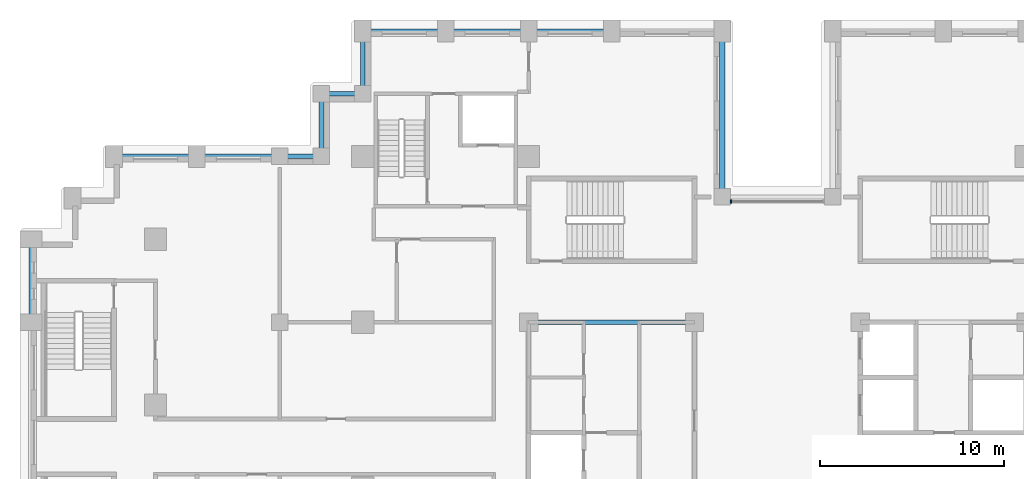
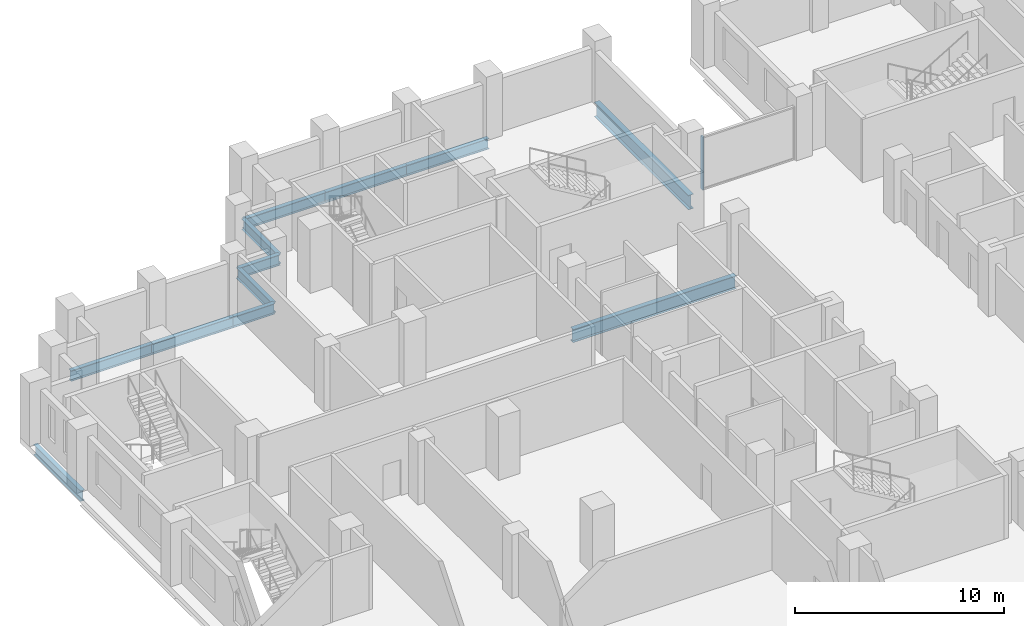
# One storey, part 3 of 15: 12 beams, 1 member, 1 element without a shape of its own.
"""IFC4 building model written with IfcOpenShell, lengths in metres."""

import ifcopenshell
import ifcopenshell.guid

model = None  # the IFC model being written
_history = None  # IfcOwnerHistory: only IFC2X3 demands one
_inside = {}  # id of a spatial element -> (the spatial element, [elements in it])
_under = {}  # id of a project, library or spatial element -> (it, [spatial elements below it])
_declared = {}  # id of a project -> (the project, [libraries it declares])
_typed = {}  # id of a type object -> (the type object, [elements of that type])
_made_of = {}  # id of a material, layer set ... -> (it, [elements and type objects made of it])


def new_model(schema):
    """Start an empty IFC model of exactly this schema.

    Asked for "IFC4X3", IfcOpenShell would pick the latest addendum, in which some entities
    have other attributes; the version numbers below select the first issue.
    IFC2X3 requires an IfcOwnerHistory on every rooted entity: one is made here for all.
    """
    global model, _history
    if schema == "IFC4X3":
        model = ifcopenshell.file(schema_version=(4, 3, 0, 0))
    else:
        model = ifcopenshell.file(schema=schema)
    _inside.clear()
    _under.clear()
    _declared.clear()
    _typed.clear()
    _made_of.clear()
    _history = None
    if model.schema == "IFC2X3":
        org = make("IfcOrganization", Name="unknown")
        user = make(
            "IfcPersonAndOrganization",
            ThePerson=make("IfcPerson", FamilyName="unknown"),
            TheOrganization=org,
        )
        app = make(
            "IfcApplication",
            ApplicationDeveloper=org,
            Version="unknown",
            ApplicationFullName="unknown",
            ApplicationIdentifier="unknown",
        )
        _history = make(
            "IfcOwnerHistory",
            OwningUser=user,
            OwningApplication=app,
            ChangeAction="ADDED",
            CreationDate=0,
        )
    return model


def make(cls, **values):
    """One entity of the class cls with the attributes given. An attribute that is None is left unset."""
    return model.create_entity(
        cls, **{name: value for name, value in values.items() if value is not None}
    )


def rooted(cls, **values):
    """An entity with a GlobalId (a new one), such as an element, a storey or a relation."""
    return make(cls, GlobalId=ifcopenshell.guid.new(), OwnerHistory=_history, **values)


def si_unit(unit_type, name, prefix=None):
    """IfcSIUnit, for example si_unit("LENGTHUNIT", "METRE", prefix="MILLI")."""
    return make("IfcSIUnit", UnitType=unit_type, Prefix=prefix, Name=name)


def assignment(units):
    """IfcUnitAssignment: the units of a project."""
    return None if units is None else make("IfcUnitAssignment", Units=units)


def point(xyz):
    """IfcCartesianPoint."""
    return None if xyz is None else make("IfcCartesianPoint", Coordinates=xyz)


def direction(xyz):
    """IfcDirection."""
    return None if xyz is None else make("IfcDirection", DirectionRatios=xyz)


def frame(location, z_axis=None, x_axis=None):
    """IfcAxis2Placement3D, a coordinate frame: its origin and axes. An axis left out is left unset."""
    return make(
        "IfcAxis2Placement3D",
        Location=point(location),
        Axis=direction(z_axis),
        RefDirection=direction(x_axis),
    )


def frame_2d(location, x_axis=None):
    """IfcAxis2Placement2D, a coordinate frame in the plane: its origin and x axis."""
    return make(
        "IfcAxis2Placement2D", Location=point(location), RefDirection=direction(x_axis)
    )


def origin():
    """The frame at (0, 0, 0) with its axes left unset."""
    return frame((0.0, 0.0, 0.0))


def origin_2d():
    """The frame at (0, 0) in the plane with its x axis left unset."""
    return frame_2d((0.0, 0.0))


def place(relative_to, where):
    """IfcLocalPlacement: puts the frame where relative to a parent placement (None: the world)."""
    return make(
        "IfcLocalPlacement", PlacementRelTo=relative_to, RelativePlacement=where
    )


def context(
    kind, dimensions, precision=None, world=None, true_north=None, identifier=None
):
    """IfcGeometricRepresentationContext, for example the 3D "Model" context."""
    return make(
        "IfcGeometricRepresentationContext",
        ContextIdentifier=identifier,
        ContextType=kind,
        CoordinateSpaceDimension=dimensions,
        Precision=precision,
        WorldCoordinateSystem=world,
        TrueNorth=true_north,
    )


def subcontext(parent, identifier, kind, view, scale=None):
    """IfcGeometricRepresentationSubContext, for example "Body" below "Model"."""
    return make(
        "IfcGeometricRepresentationSubContext",
        ContextIdentifier=identifier,
        ContextType=kind,
        ParentContext=parent,
        TargetScale=scale,
        TargetView=view,
    )


def project(units=None, contexts=None):
    """IfcProject with its units and contexts."""
    return rooted(
        "IfcProject",
        Name="project",
        RepresentationContexts=contexts,
        UnitsInContext=assignment(units),
    )


def spatial(cls, under=None, at=None, **own):
    """A site, building, storey or space (cls), placed at a placement, below another one or the project."""
    s = rooted(cls, ObjectPlacement=at, **own)
    if under is not None:
        _under.setdefault(under.id(), (under, []))[1].append(s)
    return s


def profile(cls, at=None, kind="AREA", **sizes):
    """A parametric profile (cls). Its sizes go by their IFC names, for example OverallWidth=200.0."""
    return make(cls, ProfileType=kind, Position=at, **sizes)


def rectangle(**sizes):
    """IfcRectangleProfileDef."""
    return profile("IfcRectangleProfileDef", **sizes)


def i_section(**sizes):
    """IfcIShapeProfileDef."""
    return profile("IfcIShapeProfileDef", **sizes)


def extrude(swept, where, along, depth):
    """IfcExtrudedAreaSolid: the profile swept, set in the frame where, extruded along a direction by depth."""
    return make(
        "IfcExtrudedAreaSolid",
        SweptArea=swept,
        Position=where,
        ExtrudedDirection=direction(along),
        Depth=depth,
    )


def shape(context_of_items, identifier, shape_type, items):
    """IfcShapeRepresentation: the items that make up one representation, for example the "Body"."""
    return make(
        "IfcShapeRepresentation",
        ContextOfItems=context_of_items,
        RepresentationIdentifier=identifier,
        RepresentationType=shape_type,
        Items=items,
    )


def material(Name=None, Category=None):
    """IfcMaterial."""
    return make("IfcMaterial", Name=Name, Category=Category)


def layer(
    of_material, thickness, ventilated=None, Name=None, Category=None, Priority=None
):
    """IfcMaterialLayer: one layer of a wall or slab, of a material (None: an air gap)."""
    return make(
        "IfcMaterialLayer",
        Material=of_material,
        LayerThickness=thickness,
        IsVentilated=ventilated,
        Name=Name,
        Category=Category,
        Priority=Priority,
    )


def layer_set(layers, Name=None):
    """IfcMaterialLayerSet."""
    return make("IfcMaterialLayerSet", MaterialLayers=layers, LayerSetName=Name)


def material_profile(
    of_material, cross_section, Name=None, Category=None, Priority=None
):
    """IfcMaterialProfile: a cross section and its material."""
    return make(
        "IfcMaterialProfile",
        Name=Name,
        Material=of_material,
        Profile=cross_section,
        Priority=Priority,
        Category=Category,
    )


def profile_set(profiles, Name=None, composite=None):
    """IfcMaterialProfileSet."""
    return make(
        "IfcMaterialProfileSet",
        Name=Name,
        MaterialProfiles=profiles,
        CompositeProfile=composite,
    )


def made_of(thing, what):
    """Note that an element or type object is made of a material, layer set ...; save() writes the relation."""
    if what is not None:
        _made_of.setdefault(what.id(), (what, []))[1].append(thing)
    return thing


def type_object(cls, material=None, **own):
    """A type object (cls), such as IfcWallType, which elements share."""
    return made_of(rooted(cls, **own), material)


def element(
    cls,
    number,
    at=None,
    inside=None,
    cuts=None,
    type_object=None,
    material=None,
    context=None,
    identifier="Body",
    shape_type=None,
    held_by="IfcProductDefinitionShape",
    body=None,
    shapes=None,
    **own,
):
    """One element of the class cls, such as IfcWall. Its Tag is "e" and its number.

    at: its placement. inside: the storey or other place that contains it. cuts: it is an
    opening in that element (IfcRelVoidsElement). A single representation is given by context,
    identifier, shape_type and body (its items); several are given by shapes. held_by: the class
    of the entity that holds the representations. save() writes the other relations.
    """
    e = rooted(cls, Tag="e%d" % number, ObjectPlacement=at, **own)
    if body is not None:
        shapes = [shape(context, identifier, shape_type, body)]
    if shapes is not None:
        e.Representation = make(held_by, Representations=shapes)
    if inside is not None:
        _inside.setdefault(inside.id(), (inside, []))[1].append(e)
    if cuts is not None:
        rooted(
            "IfcRelVoidsElement", RelatingBuildingElement=cuts, RelatedOpeningElement=e
        )
    if type_object is not None:
        _typed.setdefault(type_object.id(), (type_object, []))[1].append(e)
    return made_of(e, material)


def aggregate(whole, parts):
    """IfcRelAggregates: a whole, such as a stair, and the parts it consists of."""
    return rooted("IfcRelAggregates", RelatingObject=whole, RelatedObjects=parts)


def save(model, path):
    """Write the relations noted so far, then the file.

    IfcRelAggregates (storeys below a building ...), IfcRelContainedInSpatialStructure (elements
    in a storey), IfcRelDefinesByType, IfcRelAssociatesMaterial and IfcRelDeclares: one each for
    every whole, place, type object, material and project.
    """
    for whole, parts in _under.values():
        aggregate(whole, parts)
    for where, things in _inside.values():
        rooted(
            "IfcRelContainedInSpatialStructure",
            RelatedElements=things,
            RelatingStructure=where,
        )
    for kind, things in _typed.values():
        rooted("IfcRelDefinesByType", RelatedObjects=things, RelatingType=kind)
    for what, things in _made_of.values():
        rooted("IfcRelAssociatesMaterial", RelatedObjects=things, RelatingMaterial=what)
    for by, libraries in _declared.values():
        rooted("IfcRelDeclares", RelatingContext=by, RelatedDefinitions=libraries)
    model.write(path)


model = new_model("IFC4")

# Units and contexts
model_context = context("Model", 3, precision=1e-05, world=origin(), true_north=direction((0.0, 1.0)))
body_context = subcontext(model_context, "Body", "Model", "MODEL_VIEW")
ifc_project = project(units=[si_unit("LENGTHUNIT", "METRE"), si_unit("AREAUNIT", "SQUARE_METRE"), si_unit("VOLUMEUNIT", "CUBIC_METRE"), si_unit("PLANEANGLEUNIT", "RADIAN"), si_unit("MASSUNIT", "GRAM", prefix="KILO")], contexts=[model_context])

# Site, building, storey
site_placement = place(None, origin())
site = spatial("IfcSite", under=ifc_project, at=site_placement, CompositionType="ELEMENT")
building_placement = place(site_placement, origin())
building = spatial("IfcBuilding", under=site, at=building_placement, Name="Corbelhall Arena Tower", CompositionType="ELEMENT")
storey_placement = place(building_placement, frame((0.0, 0.0, 88.0)))
storey = spatial("IfcBuildingStorey", under=building, at=storey_placement, Name="L14", CompositionType="ELEMENT", Elevation=88.0)

# Curtain wall, member
ifc_material_1 = material(Name="Aluminium black anodised", Category="aluminium")
ifc_layer = layer(ifc_material_1, 0.199951171875)
ifc_layer_set = layer_set([ifc_layer], Name="EV-CW1 Slot back wall")
curtain_wall_type = type_object("IfcCurtainWallType", Name="EV-CW1 Slot back wall", PredefinedType="NOTDEFINED", material=ifc_layer_set)
curtain_wall_placement = place(storey_placement, origin())
curtain_wall = element("IfcCurtainWall", 1, at=curtain_wall_placement, inside=storey, type_object=curtain_wall_type, Name="Curtain wall CW1", PredefinedType="NOTDEFINED")
ifc_material_profile_1 = material_profile(ifc_material_1, rectangle(XDim=0.199951171875, YDim=0.074951171875, at=origin_2d()))
ifc_profile_set_1 = profile_set([ifc_material_profile_1], Name="Aluminium black anodised")
member_type = type_object("IfcMemberType", Name="EV-CW1-MULLION", PredefinedType="MULLION", material=ifc_profile_set_1)
member_placement = place(storey_placement, frame((-2.512451171875, 15.550048828125, 0.0), z_axis=(0.0, 0.0, 1.0), x_axis=(0.0, -1.0, 0.0)))
member = element("IfcMember", 2, at=member_placement, type_object=member_type, Name="CW1 mullion 2", PredefinedType="MULLION", context=body_context, shape_type="SweptSolid", body=[
    extrude(rectangle(XDim=0.199951171875, YDim=0.074951171875, at=origin_2d()), origin(), (0.0, 0.0, 1.0), 3.10009765625),
])
aggregate(curtain_wall, [member])

# Beams
ifc_material_2 = material(Name="Steel ASTM A992 Gr50", Category="steel")
ifc_material_profile_2 = material_profile(ifc_material_2, i_section(OverallWidth=0.2666015625, OverallDepth=0.761962890625, WebThickness=0.014404296875, FlangeThickness=0.021484375, at=origin_2d()))
ifc_profile_set_2 = profile_set([ifc_material_profile_2], Name="Steel ASTM A992 Gr50")
beam_type_1 = type_object("IfcBeamType", Name="ST-BEAM-W30x116", PredefinedType="BEAM", material=ifc_profile_set_2)
beam_1_placement = place(storey_placement, frame((-13.5, 9.0, -0.680908203125), z_axis=(1.0, 0.0, 0.0), x_axis=(0.0, 1.0, 0.0)))
element("IfcBeam", 3, at=beam_1_placement, inside=storey, type_object=beam_type_1, Name="Beam CEW 6", PredefinedType="BEAM", context=body_context, shape_type="SweptSolid", body=[
    extrude(i_section(OverallWidth=0.2666015625, OverallDepth=0.761962890625, WebThickness=0.014404296875, FlangeThickness=0.021484375, at=origin_2d()), origin(), (0.0, 0.0, 1.0), 9.0),
])
ifc_material_profile_3 = material_profile(ifc_material_2, i_section(OverallWidth=0.23046875, OverallDepth=0.6171875, WebThickness=0.01318359375, FlangeThickness=0.022216796875, at=origin_2d()))
ifc_profile_set_3 = profile_set([ifc_material_profile_3], Name="Steel ASTM A992 Gr50")
beam_type_2 = type_object("IfcBeamType", Name="ST-SPANDREL-W24x94", PredefinedType="SPANDREL", material=ifc_profile_set_3)
for number, where, z_axis, x_axis, name in (
    (4, (-40.5, 9.0, -0.608642578125), (0.0, 1.0, 0.0), (-1.0, 0.0, 0.0), "Beam SP 2"),
    (5, (-31.5, 18.0, -0.608642578125), (1.0, 0.0, 0.0), (0.0, 1.0, 0.0), "Beam SP 5"),
    (6, (-36.0, 18.0, -0.608642578125), (1.0, 0.0, 0.0), (0.0, 1.0, 0.0), "Beam SP 6"),
    (7, (-13.5, 24.800048828125, -0.608642578125), (1.0, 0.0, 0.0), (0.0, 1.0, 0.0), "Beam SP 24"),
    (8, (-18.0, 24.800048828125, -0.608642578125), (1.0, 0.0, 0.0), (0.0, 1.0, 0.0), "Beam SP 25"),
    (9, (-22.5, 24.800048828125, -0.608642578125), (1.0, 0.0, 0.0), (0.0, 1.0, 0.0), "Beam SP 26"),
):
    element("IfcBeam", number, at=place(storey_placement, frame(where, z_axis=z_axis, x_axis=x_axis)), inside=storey, type_object=beam_type_2, Name=name, PredefinedType="SPANDREL", context=body_context, shape_type="SweptSolid", body=[
        extrude(i_section(OverallWidth=0.23046875, OverallDepth=0.6171875, WebThickness=0.01318359375, FlangeThickness=0.022216796875, at=origin_2d()), origin(), (0.0, 0.0, 1.0), 4.5),
    ])
beam_2_placement = place(storey_placement, frame((-27.0, 18.0, -0.608642578125), z_axis=(1.0, 0.0, 0.0), x_axis=(0.0, 1.0, 0.0)))
element("IfcBeam", 10, at=beam_2_placement, inside=storey, type_object=beam_type_2, Name="Beam SP 37", PredefinedType="SPANDREL", context=body_context, shape_type="SweptSolid", body=[
    extrude(i_section(OverallWidth=0.23046875, OverallDepth=0.6171875, WebThickness=0.01318359375, FlangeThickness=0.022216796875, at=origin_2d()), origin(), (0.0, 0.0, 1.0), 2.25),
])
beam_3_placement = place(storey_placement, frame((-22.5, 21.39990234375, -0.608642578125), z_axis=(0.0, 1.0, 0.0), x_axis=(-1.0, 0.0, 0.0)))
element("IfcBeam", 11, at=beam_3_placement, inside=storey, type_object=beam_type_2, Name="Beam SP 46", PredefinedType="SPANDREL", context=body_context, shape_type="SweptSolid", body=[
    extrude(i_section(OverallWidth=0.23046875, OverallDepth=0.6171875, WebThickness=0.01318359375, FlangeThickness=0.022216796875, at=origin_2d()), origin(), (0.0, 0.0, 1.0), 3.400146484375),
])
beam_4_placement = place(storey_placement, frame((-24.75, 21.39990234375, -0.608642578125), z_axis=(1.0, 0.0, 0.0), x_axis=(0.0, 1.0, 0.0)))
element("IfcBeam", 12, at=beam_4_placement, inside=storey, type_object=beam_type_2, Name="Beam SP 47", PredefinedType="SPANDREL", context=body_context, shape_type="SweptSolid", body=[
    extrude(i_section(OverallWidth=0.23046875, OverallDepth=0.6171875, WebThickness=0.01318359375, FlangeThickness=0.022216796875, at=origin_2d()), origin(), (0.0, 0.0, 1.0), 2.25),
])
beam_5_placement = place(storey_placement, frame((-24.75, 18.0, -0.608642578125), z_axis=(0.0, 1.0, 0.0), x_axis=(-1.0, 0.0, 0.0)))
element("IfcBeam", 13, at=beam_5_placement, inside=storey, type_object=beam_type_2, Name="Beam SP 48", PredefinedType="SPANDREL", context=body_context, shape_type="SweptSolid", body=[
    extrude(i_section(OverallWidth=0.23046875, OverallDepth=0.6171875, WebThickness=0.01318359375, FlangeThickness=0.022216796875, at=origin_2d()), origin(), (0.0, 0.0, 1.0), 3.39990234375),
])
ifc_material_profile_4 = material_profile(ifc_material_2, i_section(OverallWidth=0.2919921875, OverallDepth=0.845703125, WebThickness=0.015380859375, FlangeThickness=0.0244140625, at=origin_2d()))
ifc_profile_set_4 = profile_set([ifc_material_profile_4], Name="Steel ASTM A992 Gr50")
beam_type_3 = type_object("IfcBeamType", Name="ST-SPANDREL-W33x141", PredefinedType="SPANDREL", material=ifc_profile_set_4)
beam_6_placement = place(storey_placement, frame((-3.0, 24.800048828125, -0.722900390625), z_axis=(0.0, -1.0, 0.0), x_axis=(1.0, 0.0, 0.0)))
element("IfcBeam", 14, at=beam_6_placement, inside=storey, type_object=beam_type_3, Name="Beam SP 22", PredefinedType="SPANDREL", context=body_context, shape_type="SweptSolid", body=[
    extrude(i_section(OverallWidth=0.2919921875, OverallDepth=0.845703125, WebThickness=0.015380859375, FlangeThickness=0.0244140625, at=origin_2d()), origin(), (0.0, 0.0, 1.0), 9.0),
])

save(model, "model.ifc")
